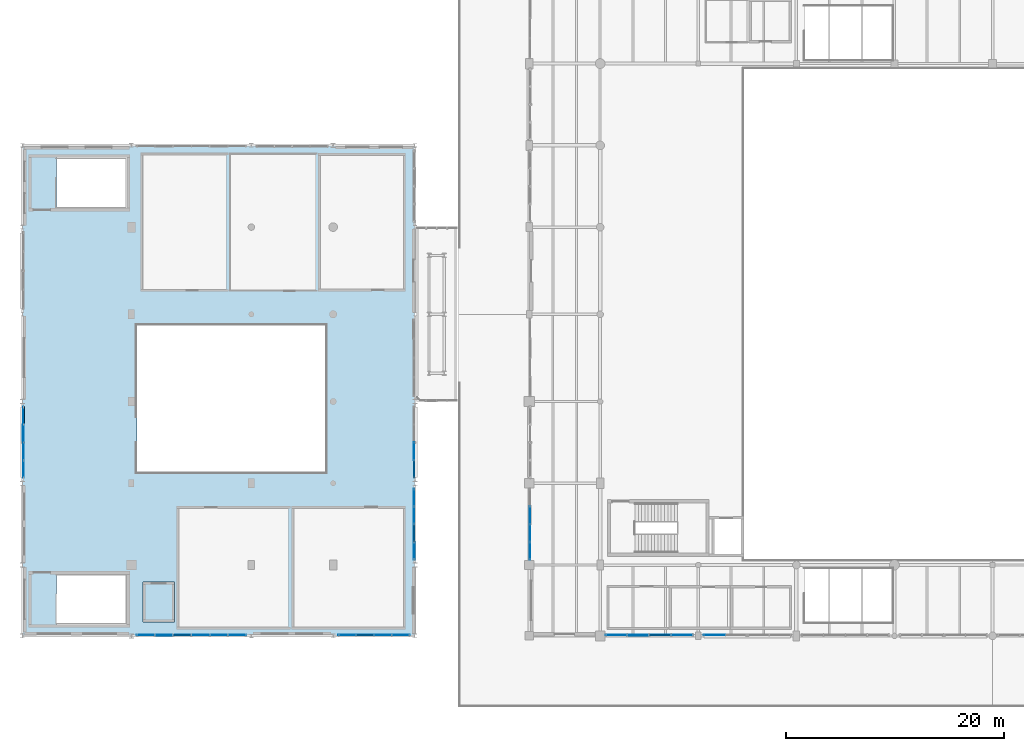
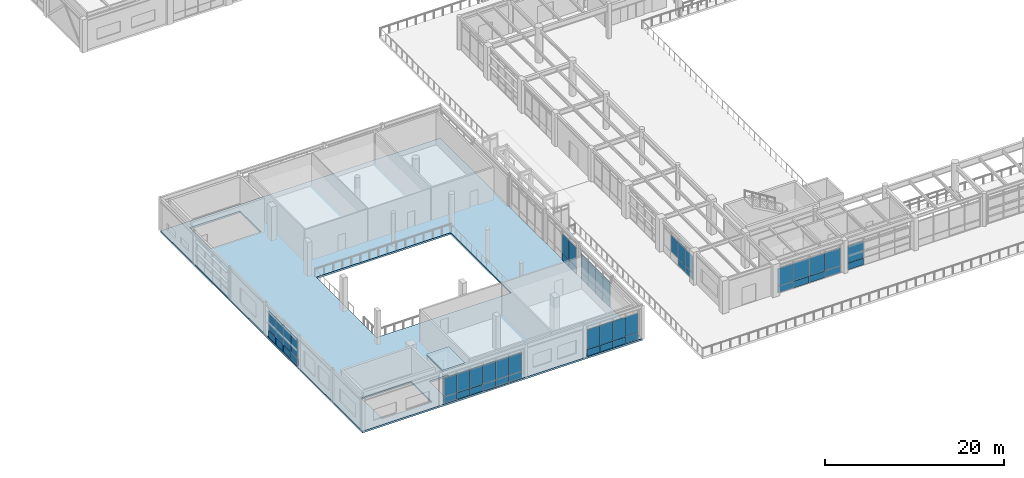
# One storey, part 154 of 200: 55 plates, 2 slabs, 8 elements without a shape of their own.
"""IFC4 building model written with IfcOpenShell, lengths in metres."""

import ifcopenshell
import ifcopenshell.guid

model = None  # the IFC model being written
_history = None  # IfcOwnerHistory: only IFC2X3 demands one
_inside = {}  # id of a spatial element -> (the spatial element, [elements in it])
_under = {}  # id of a project, library or spatial element -> (it, [spatial elements below it])
_declared = {}  # id of a project -> (the project, [libraries it declares])
_typed = {}  # id of a type object -> (the type object, [elements of that type])
_made_of = {}  # id of a material, layer set ... -> (it, [elements and type objects made of it])


def new_model(schema):
    """Start an empty IFC model of exactly this schema.

    Asked for "IFC4X3", IfcOpenShell would pick the latest addendum, in which some entities
    have other attributes; the version numbers below select the first issue.
    IFC2X3 requires an IfcOwnerHistory on every rooted entity: one is made here for all.
    """
    global model, _history
    if schema == "IFC4X3":
        model = ifcopenshell.file(schema_version=(4, 3, 0, 0))
    else:
        model = ifcopenshell.file(schema=schema)
    _inside.clear()
    _under.clear()
    _declared.clear()
    _typed.clear()
    _made_of.clear()
    _history = None
    if model.schema == "IFC2X3":
        org = make("IfcOrganization", Name="unknown")
        user = make(
            "IfcPersonAndOrganization",
            ThePerson=make("IfcPerson", FamilyName="unknown"),
            TheOrganization=org,
        )
        app = make(
            "IfcApplication",
            ApplicationDeveloper=org,
            Version="unknown",
            ApplicationFullName="unknown",
            ApplicationIdentifier="unknown",
        )
        _history = make(
            "IfcOwnerHistory",
            OwningUser=user,
            OwningApplication=app,
            ChangeAction="ADDED",
            CreationDate=0,
        )
    return model


def make(cls, **values):
    """One entity of the class cls with the attributes given. An attribute that is None is left unset."""
    return model.create_entity(
        cls, **{name: value for name, value in values.items() if value is not None}
    )


def rooted(cls, **values):
    """An entity with a GlobalId (a new one), such as an element, a storey or a relation."""
    return make(cls, GlobalId=ifcopenshell.guid.new(), OwnerHistory=_history, **values)


def si_unit(unit_type, name, prefix=None):
    """IfcSIUnit, for example si_unit("LENGTHUNIT", "METRE", prefix="MILLI")."""
    return make("IfcSIUnit", UnitType=unit_type, Prefix=prefix, Name=name)


def assignment(units):
    """IfcUnitAssignment: the units of a project."""
    return None if units is None else make("IfcUnitAssignment", Units=units)


def point(xyz):
    """IfcCartesianPoint."""
    return None if xyz is None else make("IfcCartesianPoint", Coordinates=xyz)


def direction(xyz):
    """IfcDirection."""
    return None if xyz is None else make("IfcDirection", DirectionRatios=xyz)


def frame(location, z_axis=None, x_axis=None):
    """IfcAxis2Placement3D, a coordinate frame: its origin and axes. An axis left out is left unset."""
    return make(
        "IfcAxis2Placement3D",
        Location=point(location),
        Axis=direction(z_axis),
        RefDirection=direction(x_axis),
    )


def frame_2d(location, x_axis=None):
    """IfcAxis2Placement2D, a coordinate frame in the plane: its origin and x axis."""
    return make(
        "IfcAxis2Placement2D", Location=point(location), RefDirection=direction(x_axis)
    )


def origin():
    """The frame at (0, 0, 0) with its axes left unset."""
    return frame((0.0, 0.0, 0.0))


def origin_2d():
    """The frame at (0, 0) in the plane with its x axis left unset."""
    return frame_2d((0.0, 0.0))


def place(relative_to, where):
    """IfcLocalPlacement: puts the frame where relative to a parent placement (None: the world)."""
    return make(
        "IfcLocalPlacement", PlacementRelTo=relative_to, RelativePlacement=where
    )


def context(
    kind, dimensions, precision=None, world=None, true_north=None, identifier=None
):
    """IfcGeometricRepresentationContext, for example the 3D "Model" context."""
    return make(
        "IfcGeometricRepresentationContext",
        ContextIdentifier=identifier,
        ContextType=kind,
        CoordinateSpaceDimension=dimensions,
        Precision=precision,
        WorldCoordinateSystem=world,
        TrueNorth=true_north,
    )


def subcontext(parent, identifier, kind, view, scale=None):
    """IfcGeometricRepresentationSubContext, for example "Body" below "Model"."""
    return make(
        "IfcGeometricRepresentationSubContext",
        ContextIdentifier=identifier,
        ContextType=kind,
        ParentContext=parent,
        TargetScale=scale,
        TargetView=view,
    )


def project(units=None, contexts=None):
    """IfcProject with its units and contexts."""
    return rooted(
        "IfcProject",
        Name="project",
        RepresentationContexts=contexts,
        UnitsInContext=assignment(units),
    )


def spatial(cls, under=None, at=None, **own):
    """A site, building, storey or space (cls), placed at a placement, below another one or the project."""
    s = rooted(cls, ObjectPlacement=at, **own)
    if under is not None:
        _under.setdefault(under.id(), (under, []))[1].append(s)
    return s


def polyline(points):
    """IfcPolyline through the points."""
    return make("IfcPolyline", Points=[point(p) for p in points])


def profile(cls, at=None, kind="AREA", **sizes):
    """A parametric profile (cls). Its sizes go by their IFC names, for example OverallWidth=200.0."""
    return make(cls, ProfileType=kind, Position=at, **sizes)


def rectangle(**sizes):
    """IfcRectangleProfileDef."""
    return profile("IfcRectangleProfileDef", **sizes)


def outline(outer, holes=None, kind="AREA"):
    """IfcArbitraryClosedProfileDef: a profile drawn as a closed curve; with holes, ...WithVoids."""
    if holes is None:
        return make("IfcArbitraryClosedProfileDef", ProfileType=kind, OuterCurve=outer)
    return make(
        "IfcArbitraryProfileDefWithVoids",
        ProfileType=kind,
        OuterCurve=outer,
        InnerCurves=holes,
    )


def extrude(swept, where, along, depth):
    """IfcExtrudedAreaSolid: the profile swept, set in the frame where, extruded along a direction by depth."""
    return make(
        "IfcExtrudedAreaSolid",
        SweptArea=swept,
        Position=where,
        ExtrudedDirection=direction(along),
        Depth=depth,
    )


def shape(context_of_items, identifier, shape_type, items):
    """IfcShapeRepresentation: the items that make up one representation, for example the "Body"."""
    return make(
        "IfcShapeRepresentation",
        ContextOfItems=context_of_items,
        RepresentationIdentifier=identifier,
        RepresentationType=shape_type,
        Items=items,
    )


def material(Name=None, Category=None):
    """IfcMaterial."""
    return make("IfcMaterial", Name=Name, Category=Category)


def layer(
    of_material, thickness, ventilated=None, Name=None, Category=None, Priority=None
):
    """IfcMaterialLayer: one layer of a wall or slab, of a material (None: an air gap)."""
    return make(
        "IfcMaterialLayer",
        Material=of_material,
        LayerThickness=thickness,
        IsVentilated=ventilated,
        Name=Name,
        Category=Category,
        Priority=Priority,
    )


def layer_set(layers, Name=None):
    """IfcMaterialLayerSet."""
    return make("IfcMaterialLayerSet", MaterialLayers=layers, LayerSetName=Name)


def made_of(thing, what):
    """Note that an element or type object is made of a material, layer set ...; save() writes the relation."""
    if what is not None:
        _made_of.setdefault(what.id(), (what, []))[1].append(thing)
    return thing


def type_object(cls, material=None, **own):
    """A type object (cls), such as IfcWallType, which elements share."""
    return made_of(rooted(cls, **own), material)


def element(
    cls,
    number,
    at=None,
    inside=None,
    cuts=None,
    type_object=None,
    material=None,
    context=None,
    identifier="Body",
    shape_type=None,
    held_by="IfcProductDefinitionShape",
    body=None,
    shapes=None,
    **own,
):
    """One element of the class cls, such as IfcWall. Its Tag is "e" and its number.

    at: its placement. inside: the storey or other place that contains it. cuts: it is an
    opening in that element (IfcRelVoidsElement). A single representation is given by context,
    identifier, shape_type and body (its items); several are given by shapes. held_by: the class
    of the entity that holds the representations. save() writes the other relations.
    """
    e = rooted(cls, Tag="e%d" % number, ObjectPlacement=at, **own)
    if body is not None:
        shapes = [shape(context, identifier, shape_type, body)]
    if shapes is not None:
        e.Representation = make(held_by, Representations=shapes)
    if inside is not None:
        _inside.setdefault(inside.id(), (inside, []))[1].append(e)
    if cuts is not None:
        rooted(
            "IfcRelVoidsElement", RelatingBuildingElement=cuts, RelatedOpeningElement=e
        )
    if type_object is not None:
        _typed.setdefault(type_object.id(), (type_object, []))[1].append(e)
    return made_of(e, material)


def aggregate(whole, parts):
    """IfcRelAggregates: a whole, such as a stair, and the parts it consists of."""
    return rooted("IfcRelAggregates", RelatingObject=whole, RelatedObjects=parts)


def save(model, path):
    """Write the relations noted so far, then the file.

    IfcRelAggregates (storeys below a building ...), IfcRelContainedInSpatialStructure (elements
    in a storey), IfcRelDefinesByType, IfcRelAssociatesMaterial and IfcRelDeclares: one each for
    every whole, place, type object, material and project.
    """
    for whole, parts in _under.values():
        aggregate(whole, parts)
    for where, things in _inside.values():
        rooted(
            "IfcRelContainedInSpatialStructure",
            RelatedElements=things,
            RelatingStructure=where,
        )
    for kind, things in _typed.values():
        rooted("IfcRelDefinesByType", RelatedObjects=things, RelatingType=kind)
    for what, things in _made_of.values():
        rooted("IfcRelAssociatesMaterial", RelatedObjects=things, RelatingMaterial=what)
    for by, libraries in _declared.values():
        rooted("IfcRelDeclares", RelatingContext=by, RelatedDefinitions=libraries)
    model.write(path)


model = new_model("IFC4")

# Units and contexts
model_context = context("Model", 3, precision=1e-05, world=origin(), true_north=direction((0.0, 1.0)))
body_context = subcontext(model_context, "Body", "Model", "MODEL_VIEW")
ifc_project = project(units=[si_unit("LENGTHUNIT", "METRE"), si_unit("AREAUNIT", "SQUARE_METRE"), si_unit("VOLUMEUNIT", "CUBIC_METRE"), si_unit("PLANEANGLEUNIT", "RADIAN"), si_unit("MASSUNIT", "GRAM", prefix="KILO"), si_unit("THERMODYNAMICTEMPERATUREUNIT", "KELVIN"), si_unit("POWERUNIT", "WATT")], contexts=[model_context])

# Site, building, storey
site_placement = place(None, origin())
site = spatial("IfcSite", under=ifc_project, at=site_placement, CompositionType="ELEMENT")
building_placement = place(site_placement, origin())
building = spatial("IfcBuilding", under=site, at=building_placement, Name="Tepalcoro Natatorium and Aquatics Centre", CompositionType="ELEMENT")
storey_placement = place(building_placement, frame((0.0, 0.0, 5.39990234375)))
storey = spatial("IfcBuildingStorey", under=building, at=storey_placement, Name="L01", CompositionType="ELEMENT", Elevation=5.39990234375)

# Curtain wall, plates
ifc_material_1 = material(Name="Bronze-Anodised Extruded Aluminium Alloy EN AW-6063 T6", Category="aluminium")
curtain_wall_type_1 = type_object("IfcCurtainWallType", Name="CW_V3_FOYER", PredefinedType="USERDEFINED", material=ifc_material_1)
curtain_wall_1_placement = place(storey_placement, origin())
curtain_wall_1 = element("IfcCurtainWall", 1, at=curtain_wall_1_placement, inside=storey, type_object=curtain_wall_type_1, Name="V1 L01 S Unitised Curtain Wall Bay 2", ObjectType="UNITISED STOREFRONT", PredefinedType="USERDEFINED")
ifc_material_2 = material(Name="Solar-Control Bronze Tempered Low-E Double Glazing", Category="glass")
ifc_layer_1 = layer(ifc_material_2, 0.048095703125)
ifc_layer_set_1 = layer_set([ifc_layer_1], Name="Solar-Control Bronze Tempered Low-E Double Glazing")
plate_type_1 = type_object("IfcPlateType", Name="PL_ACOUSTIC_IGU_48", PredefinedType="CURTAIN_PANEL", material=ifc_layer_set_1)
plate_1_placement = place(storey_placement, frame((54.485107421875, 6.5712890625, 0.9599609375), z_axis=(0.0, 0.0, 1.0), x_axis=(1.0, 0.0, 0.0)))
plate_1 = element("IfcPlate", 2, at=plate_1_placement, type_object=plate_type_1, Name="CW_V3_FOYER Insulated Glazing Unit", PredefinedType="CURTAIN_PANEL", context=body_context, shape_type="SweptSolid", body=[
    extrude(rectangle(XDim=1.989990234375, YDim=0.048095703125, at=origin_2d()), origin(), (0.0, 0.0, 1.0), 2.39404296875),
])
plate_2_placement = place(storey_placement, frame((60.514892578125, 6.5712890625, 0.9599609375), z_axis=(0.0, 0.0, 1.0), x_axis=(1.0, 0.0, 0.0)))
plate_2 = element("IfcPlate", 3, at=plate_2_placement, type_object=plate_type_1, Name="CW_V3_FOYER Insulated Glazing Unit", PredefinedType="CURTAIN_PANEL", context=body_context, shape_type="SweptSolid", body=[
    extrude(rectangle(XDim=1.989990234375, YDim=0.048095703125, at=origin_2d()), origin(), (0.0, 0.0, 1.0), 2.39404296875),
])

# Curtain wall, plate
curtain_wall_type_2 = type_object("IfcCurtainWallType", Name="CW_LEAN_T1_NS", PredefinedType="USERDEFINED", material=ifc_material_1)
curtain_wall_2_placement = place(storey_placement, origin())
curtain_wall_2 = element("IfcCurtainWall", 4, at=curtain_wall_2_placement, inside=storey, type_object=curtain_wall_type_2, Name="V1 L01 W Unitised Curtain Wall Bay 2", ObjectType="FACETED SOLAR GLAZING", PredefinedType="USERDEFINED")
plate_3_placement = place(storey_placement, frame((46.56494140625, 15.9326171875, 0.9599609375), z_axis=(0.0, 0.0, 1.0), x_axis=(1.0, 0.0, 0.0)))
plate_3 = element("IfcPlate", 5, at=plate_3_placement, type_object=plate_type_1, Name="CW_LEAN_T1_NS Insulated Glazing Unit", PredefinedType="CURTAIN_PANEL", context=body_context, shape_type="SweptSolid", body=[
    extrude(rectangle(XDim=0.048095703125, YDim=1.614990234375, at=origin_2d()), origin(), (0.0, 0.0, 1.0), 2.318115234375),
])

# Curtain wall, plates
curtain_wall_3_placement = place(storey_placement, origin())
curtain_wall_3 = element("IfcCurtainWall", 6, at=curtain_wall_3_placement, inside=storey, type_object=curtain_wall_type_1, Name="V3 L01 S Unitised Curtain Wall Bay 2", ObjectType="UNITISED STOREFRONT", PredefinedType="USERDEFINED")
plate_4_placement = place(storey_placement, frame((11.316650390625, 6.5712890625, 0.9599609375), z_axis=(0.0, 0.0, 1.0), x_axis=(1.0, 0.0, 0.0)))
plate_4 = element("IfcPlate", 7, at=plate_4_placement, type_object=plate_type_1, Name="CW_V3_FOYER Insulated Glazing Unit", PredefinedType="CURTAIN_PANEL", context=body_context, shape_type="SweptSolid", body=[
    extrude(rectangle(XDim=1.6533203125, YDim=0.048095703125, at=origin_2d()), origin(), (0.0, 0.0, 1.0), 2.513916015625),
])
plate_5_placement = place(storey_placement, frame((16.336669921875, 6.5712890625, 0.9599609375), z_axis=(0.0, 0.0, 1.0), x_axis=(1.0, 0.0, 0.0)))
plate_5 = element("IfcPlate", 8, at=plate_5_placement, type_object=plate_type_1, Name="CW_V3_FOYER Insulated Glazing Unit", PredefinedType="CURTAIN_PANEL", context=body_context, shape_type="SweptSolid", body=[
    extrude(rectangle(XDim=1.6533203125, YDim=0.048095703125, at=origin_2d()), origin(), (0.0, 0.0, 1.0), 2.513916015625),
])

# Curtain wall, plate
curtain_wall_type_3 = type_object("IfcCurtainWallType", Name="CW_V5_LOWER", PredefinedType="USERDEFINED", material=ifc_material_1)
curtain_wall_4_placement = place(storey_placement, origin())
curtain_wall_4 = element("IfcCurtainWall", 9, at=curtain_wall_4_placement, inside=storey, type_object=curtain_wall_type_3, Name="V3 L01 S Unitised Curtain Wall Bay 4", ObjectType="UNITISED STOREFRONT", PredefinedType="USERDEFINED")
plate_6_placement = place(storey_placement, frame((33.0673828125, 6.580078125, 0.9599609375), z_axis=(0.0, 0.0, 1.0), x_axis=(1.0, 0.0, 0.0)))
plate_6 = element("IfcPlate", 10, at=plate_6_placement, type_object=plate_type_1, Name="CW_V5_LOWER Insulated Glazing Unit", PredefinedType="CURTAIN_PANEL", context=body_context, shape_type="SweptSolid", body=[
    extrude(rectangle(XDim=1.614990234375, YDim=0.048095703125, at=origin_2d()), origin(), (0.0, 0.0, 1.0), 2.636962890625),
])

curtain_wall_type_4 = type_object("IfcCurtainWallType", Name="CW_LEAN_T1_EW", PredefinedType="USERDEFINED", material=ifc_material_1)
curtain_wall_5_placement = place(storey_placement, origin())
curtain_wall_5 = element("IfcCurtainWall", 11, at=curtain_wall_5_placement, inside=storey, type_object=curtain_wall_type_4, Name="V3 L01 W Unitised Curtain Wall Bay 3", ObjectType="FACETED SOLAR GLAZING", PredefinedType="USERDEFINED")
plate_7_placement = place(storey_placement, frame((0.090087890625, 25.0673828125, 0.9599609375), z_axis=(0.0, 0.0, 1.0), x_axis=(1.0, 0.0, 0.0)))
plate_7 = element("IfcPlate", 12, at=plate_7_placement, type_object=plate_type_1, Name="CW_LEAN_T1_EW Insulated Glazing Unit", PredefinedType="CURTAIN_PANEL", context=body_context, shape_type="SweptSolid", body=[
    extrude(rectangle(XDim=0.048095703125, YDim=1.614990234375, at=origin_2d()), origin(), (0.0, 0.0, 1.0), 2.636962890625),
])

# Curtain wall, plates
curtain_wall_type_5 = type_object("IfcCurtainWallType", Name="CW_LEAN_T2_NS", PredefinedType="USERDEFINED", material=ifc_material_1)
curtain_wall_6_placement = place(storey_placement, origin())
curtain_wall_6 = element("IfcCurtainWall", 13, at=curtain_wall_6_placement, inside=storey, type_object=curtain_wall_type_5, Name="V3 L01 E Unitised Curtain Wall Bay 2", ObjectType="FACETED SOLAR GLAZING", PredefinedType="USERDEFINED")
plate_8_placement = place(storey_placement, frame((35.923828125, 14.297607421875, 0.960205078125), z_axis=(0.0, 0.0, 1.0), x_axis=(1.0, 0.0, 0.0)))
plate_8 = element("IfcPlate", 14, at=plate_8_placement, type_object=plate_type_1, Name="CW_LEAN_T2_NS Insulated Glazing Unit", PredefinedType="CURTAIN_PANEL", context=body_context, shape_type="SweptSolid", body=[
    extrude(rectangle(XDim=0.048095703125, YDim=1.614990234375, at=origin_2d()), origin(), (0.0, 0.0, 1.0), 2.43798828125),
])
plate_9_placement = place(storey_placement, frame((35.923828125, 19.202392578125, 0.960205078125), z_axis=(0.0, 0.0, 1.0), x_axis=(1.0, 0.0, 0.0)))
plate_9 = element("IfcPlate", 15, at=plate_9_placement, type_object=plate_type_1, Name="CW_LEAN_T2_NS Insulated Glazing Unit", PredefinedType="CURTAIN_PANEL", context=body_context, shape_type="SweptSolid", body=[
    extrude(rectangle(XDim=0.048095703125, YDim=1.614990234375, at=origin_2d()), origin(), (0.0, 0.0, 1.0), 2.43798828125),
])

# Plate
ifc_layer_2 = layer(ifc_material_2, 0.028076171875)
ifc_layer_set_2 = layer_set([ifc_layer_2], Name="Solar-Control Bronze Tempered Low-E Double Glazing")
plate_type_2 = type_object("IfcPlateType", Name="PL_BRONZE_IGU_28", PredefinedType="CURTAIN_PANEL", material=ifc_layer_set_2)
plate_10_placement = place(storey_placement, frame((58.5048828125, 6.5712890625, 0.9599609375), z_axis=(0.0, 0.0, 1.0), x_axis=(1.0, 0.0, 0.0)))
plate_10 = element("IfcPlate", 16, at=plate_10_placement, type_object=plate_type_2, Name="CW_V3_FOYER Insulated Glazing Unit", PredefinedType="CURTAIN_PANEL", context=body_context, shape_type="SweptSolid", body=[
    extrude(rectangle(XDim=1.989990234375, YDim=0.028076171875, at=origin_2d()), origin(), (0.0, 0.0, 1.0), 2.39404296875),
])

plate_11_placement = place(storey_placement, frame((46.56494140625, 14.297607421875, 0.9599609375), z_axis=(0.0, 0.0, 1.0), x_axis=(1.0, 0.0, 0.0)))
plate_11 = element("IfcPlate", 17, at=plate_11_placement, type_object=plate_type_2, Name="CW_LEAN_T1_NS Insulated Glazing Unit", PredefinedType="CURTAIN_PANEL", context=body_context, shape_type="SweptSolid", body=[
    extrude(rectangle(XDim=0.028076171875, YDim=1.614990234375, at=origin_2d()), origin(), (0.0, 0.0, 1.0), 2.318115234375),
])

plate_12_placement = place(storey_placement, frame((14.663330078125, 6.5712890625, 0.9599609375), z_axis=(0.0, 0.0, 1.0), x_axis=(1.0, 0.0, 0.0)))
plate_12 = element("IfcPlate", 18, at=plate_12_placement, type_object=plate_type_2, Name="CW_V3_FOYER Insulated Glazing Unit", PredefinedType="CURTAIN_PANEL", context=body_context, shape_type="SweptSolid", body=[
    extrude(rectangle(XDim=1.6533203125, YDim=0.028076171875, at=origin_2d()), origin(), (0.0, 0.0, 1.0), 2.513916015625),
])

plate_13_placement = place(storey_placement, frame((19.683349609375, 6.5712890625, 0.9599609375), z_axis=(0.0, 0.0, 1.0), x_axis=(1.0, 0.0, 0.0)))
plate_13 = element("IfcPlate", 19, at=plate_13_placement, type_object=plate_type_2, Name="CW_V3_FOYER Insulated Glazing Unit", PredefinedType="CURTAIN_PANEL", context=body_context, shape_type="SweptSolid", body=[
    extrude(rectangle(XDim=1.6533203125, YDim=0.028076171875, at=origin_2d()), origin(), (0.0, 0.0, 1.0), 2.513916015625),
])

plate_14_placement = place(storey_placement, frame((31.4326171875, 6.580078125, 0.9599609375), z_axis=(0.0, 0.0, 1.0), x_axis=(1.0, 0.0, 0.0)))
plate_14 = element("IfcPlate", 20, at=plate_14_placement, type_object=plate_type_2, Name="CW_V5_LOWER Insulated Glazing Unit", PredefinedType="CURTAIN_PANEL", context=body_context, shape_type="SweptSolid", body=[
    extrude(rectangle(XDim=1.614990234375, YDim=0.028076171875, at=origin_2d()), origin(), (0.0, 0.0, 1.0), 2.636962890625),
])

plate_15_placement = place(storey_placement, frame((0.090087890625, 23.4326171875, 0.9599609375), z_axis=(0.0, 0.0, 1.0), x_axis=(1.0, 0.0, 0.0)))
plate_15 = element("IfcPlate", 21, at=plate_15_placement, type_object=plate_type_2, Name="CW_LEAN_T1_EW Insulated Glazing Unit", PredefinedType="CURTAIN_PANEL", context=body_context, shape_type="SweptSolid", body=[
    extrude(rectangle(XDim=0.028076171875, YDim=1.614990234375, at=origin_2d()), origin(), (0.0, 0.0, 1.0), 2.636962890625),
])

plate_16_placement = place(storey_placement, frame((35.923828125, 17.5673828125, 0.960205078125), z_axis=(0.0, 0.0, 1.0), x_axis=(1.0, 0.0, 0.0)))
plate_16 = element("IfcPlate", 22, at=plate_16_placement, type_object=plate_type_2, Name="CW_LEAN_T2_NS Insulated Glazing Unit", PredefinedType="CURTAIN_PANEL", context=body_context, shape_type="SweptSolid", body=[
    extrude(rectangle(XDim=0.028076171875, YDim=1.614990234375, at=origin_2d()), origin(), (0.0, 0.0, 1.0), 2.43798828125),
])

# Curtain wall, plate
curtain_wall_type_6 = type_object("IfcCurtainWallType", Name="CW_LEAN_T2_EW", PredefinedType="USERDEFINED", material=ifc_material_1)
curtain_wall_7_placement = place(storey_placement, origin())
curtain_wall_7 = element("IfcCurtainWall", 23, at=curtain_wall_7_placement, inside=storey, type_object=curtain_wall_type_6, Name="V3 L01 E Unitised Curtain Wall Bay 3", ObjectType="FACETED SOLAR GLAZING", PredefinedType="USERDEFINED")
plate_17_placement = place(storey_placement, frame((35.9287109375, 23.4326171875, 0.9599609375), z_axis=(0.0, 0.0, 1.0), x_axis=(1.0, 0.0, 0.0)))
plate_17 = element("IfcPlate", 24, at=plate_17_placement, type_object=plate_type_2, Name="CW_LEAN_T2_EW Insulated Glazing Unit", PredefinedType="CURTAIN_PANEL", context=body_context, shape_type="SweptSolid", body=[
    extrude(rectangle(XDim=0.028076171875, YDim=1.614990234375, at=origin_2d()), origin(), (0.0, 0.0, 1.0), 2.636962890625),
])

# Plate
ifc_material_3 = material(Name="Jalisco Cantera Rosa Volcanic Tuff Ashlar Masonry", Category="masonry")
ifc_layer_3 = layer(ifc_material_3, 0.090087890625)
ifc_layer_set_3 = layer_set([ifc_layer_3], Name="Jalisco Cantera Rosa Volcanic Tuff Ashlar Masonry")
plate_type_3 = type_object("IfcPlateType", Name="PL_CANTERA_90", PredefinedType="SHEET", material=ifc_layer_set_3)
plate_18_placement = place(storey_placement, frame((56.4951171875, 6.5712890625, 0.044921875), z_axis=(0.0, 0.0, 1.0), x_axis=(1.0, 0.0, 0.0)))
plate_18 = element("IfcPlate", 25, at=plate_18_placement, type_object=plate_type_3, Name="CW_V3_FOYER Spandrel & Screen Panel", PredefinedType="SHEET", context=body_context, shape_type="SweptSolid", body=[
    extrude(rectangle(XDim=1.989990234375, YDim=0.090087890625, at=origin_2d()), origin(), (0.0, 0.0, 1.0), 0.909912109375),
])

# Curtain wall, plate
curtain_wall_type_7 = type_object("IfcCurtainWallType", Name="CW_V4_VILLAGE", PredefinedType="USERDEFINED", material=ifc_material_1)
curtain_wall_8_placement = place(storey_placement, origin())
curtain_wall_8 = element("IfcCurtainWall", 26, at=curtain_wall_8_placement, inside=storey, type_object=curtain_wall_type_7, Name="V1 L01 S Unitised Curtain Wall Bay 3", ObjectType="UNITISED STOREFRONT", PredefinedType="USERDEFINED")
plate_19_placement = place(storey_placement, frame((63.485107421875, 6.580078125, 0.044921875), z_axis=(0.0, 0.0, 1.0), x_axis=(1.0, 0.0, 0.0)))
plate_19 = element("IfcPlate", 27, at=plate_19_placement, type_object=plate_type_3, Name="CW_V4_VILLAGE Spandrel & Screen Panel", PredefinedType="SHEET", context=body_context, shape_type="SweptSolid", body=[
    extrude(rectangle(XDim=1.989990234375, YDim=0.090087890625, at=origin_2d()), origin(), (0.0, 0.0, 1.0), 0.909912109375),
])

# Plate
plate_20_placement = place(storey_placement, frame((12.989990234375, 6.5712890625, 0.044921875), z_axis=(0.0, 0.0, 1.0), x_axis=(1.0, 0.0, 0.0)))
plate_20 = element("IfcPlate", 28, at=plate_20_placement, type_object=plate_type_3, Name="CW_V3_FOYER Spandrel & Screen Panel", PredefinedType="SHEET", context=body_context, shape_type="SweptSolid", body=[
    extrude(rectangle(XDim=1.6533203125, YDim=0.090087890625, at=origin_2d()), origin(), (0.0, 0.0, 1.0), 0.909912109375),
])

plate_21_placement = place(storey_placement, frame((29.797607421875, 6.580078125, 0.044921875), z_axis=(0.0, 0.0, 1.0), x_axis=(1.0, 0.0, 0.0)))
plate_21 = element("IfcPlate", 29, at=plate_21_placement, type_object=plate_type_3, Name="CW_V5_LOWER Spandrel & Screen Panel", PredefinedType="SHEET", context=body_context, shape_type="SweptSolid", body=[
    extrude(rectangle(XDim=1.614990234375, YDim=0.090087890625, at=origin_2d()), origin(), (0.0, 0.0, 1.0), 0.909912109375),
])

plate_22_placement = place(storey_placement, frame((0.090087890625, 25.0673828125, 0.044921875), z_axis=(0.0, 0.0, 1.0), x_axis=(1.0, 0.0, 0.0)))
plate_22 = element("IfcPlate", 30, at=plate_22_placement, type_object=plate_type_3, Name="CW_LEAN_T1_EW Spandrel & Screen Panel", PredefinedType="SHEET", context=body_context, shape_type="SweptSolid", body=[
    extrude(rectangle(XDim=0.090087890625, YDim=1.614990234375, at=origin_2d()), origin(), (0.0, 0.0, 1.0), 0.909912109375),
])

plate_23_placement = place(storey_placement, frame((35.923828125, 14.297607421875, 0.044921875), z_axis=(0.0, 0.0, 1.0), x_axis=(1.0, 0.0, 0.0)))
plate_23 = element("IfcPlate", 31, at=plate_23_placement, type_object=plate_type_3, Name="CW_LEAN_T2_NS Spandrel & Screen Panel", PredefinedType="SHEET", context=body_context, shape_type="SweptSolid", body=[
    extrude(rectangle(XDim=0.090087890625, YDim=1.614990234375, at=origin_2d()), origin(), (0.0, 0.0, 1.0), 0.909912109375),
])

ifc_material_4 = material(Name="Clear Tempered Low-E Safety Glazing", Category="glass")
ifc_layer_4 = layer(ifc_material_4, 0.011962890625)
ifc_layer_set_4 = layer_set([ifc_layer_4], Name="Clear Tempered Low-E Safety Glazing")
plate_type_4 = type_object("IfcPlateType", Name="PL_GLASS_12", PredefinedType="CURTAIN_PANEL", material=ifc_layer_set_4)
plate_24_placement = place(storey_placement, frame((56.4951171875, 6.5712890625, 0.9599609375), z_axis=(0.0, 0.0, 1.0), x_axis=(1.0, 0.0, 0.0)))
plate_24 = element("IfcPlate", 32, at=plate_24_placement, type_object=plate_type_4, Name="CW_V3_FOYER Insulated Glazing Unit", PredefinedType="CURTAIN_PANEL", context=body_context, shape_type="SweptSolid", body=[
    extrude(rectangle(XDim=1.989990234375, YDim=0.011962890625, at=origin_2d()), origin(), (0.0, 0.0, 1.0), 2.39404296875),
])

plate_25_placement = place(storey_placement, frame((63.485107421875, 6.580078125, 0.9599609375), z_axis=(0.0, 0.0, 1.0), x_axis=(1.0, 0.0, 0.0)))
plate_25 = element("IfcPlate", 33, at=plate_25_placement, type_object=plate_type_4, Name="CW_V4_VILLAGE Insulated Glazing Unit", PredefinedType="CURTAIN_PANEL", context=body_context, shape_type="SweptSolid", body=[
    extrude(rectangle(XDim=1.989990234375, YDim=0.011962890625, at=origin_2d()), origin(), (0.0, 0.0, 1.0), 2.318115234375),
])

aggregate(curtain_wall_8, [plate_25, plate_19])

plate_26_placement = place(storey_placement, frame((46.56494140625, 17.5673828125, 0.9599609375), z_axis=(0.0, 0.0, 1.0), x_axis=(1.0, 0.0, 0.0)))
plate_26 = element("IfcPlate", 34, at=plate_26_placement, type_object=plate_type_4, Name="CW_LEAN_T1_NS Insulated Glazing Unit", PredefinedType="CURTAIN_PANEL", context=body_context, shape_type="SweptSolid", body=[
    extrude(rectangle(XDim=0.011962890625, YDim=1.614990234375, at=origin_2d()), origin(), (0.0, 0.0, 1.0), 2.318115234375),
])

plate_27_placement = place(storey_placement, frame((12.989990234375, 6.5712890625, 0.9599609375), z_axis=(0.0, 0.0, 1.0), x_axis=(1.0, 0.0, 0.0)))
plate_27 = element("IfcPlate", 35, at=plate_27_placement, type_object=plate_type_4, Name="CW_V3_FOYER Insulated Glazing Unit", PredefinedType="CURTAIN_PANEL", context=body_context, shape_type="SweptSolid", body=[
    extrude(rectangle(XDim=1.6533203125, YDim=0.011962890625, at=origin_2d()), origin(), (0.0, 0.0, 1.0), 2.513916015625),
])

plate_28_placement = place(storey_placement, frame((18.010009765625, 6.5712890625, 0.9599609375), z_axis=(0.0, 0.0, 1.0), x_axis=(1.0, 0.0, 0.0)))
plate_28 = element("IfcPlate", 36, at=plate_28_placement, type_object=plate_type_4, Name="CW_V3_FOYER Insulated Glazing Unit", PredefinedType="CURTAIN_PANEL", context=body_context, shape_type="SweptSolid", body=[
    extrude(rectangle(XDim=1.6533203125, YDim=0.011962890625, at=origin_2d()), origin(), (0.0, 0.0, 1.0), 2.513916015625),
])

plate_29_placement = place(storey_placement, frame((29.797607421875, 6.580078125, 0.9599609375), z_axis=(0.0, 0.0, 1.0), x_axis=(1.0, 0.0, 0.0)))
plate_29 = element("IfcPlate", 37, at=plate_29_placement, type_object=plate_type_4, Name="CW_V5_LOWER Insulated Glazing Unit", PredefinedType="CURTAIN_PANEL", context=body_context, shape_type="SweptSolid", body=[
    extrude(rectangle(XDim=1.614990234375, YDim=0.011962890625, at=origin_2d()), origin(), (0.0, 0.0, 1.0), 2.636962890625),
])

plate_30_placement = place(storey_placement, frame((34.702392578125, 6.580078125, 0.9599609375), z_axis=(0.0, 0.0, 1.0), x_axis=(1.0, 0.0, 0.0)))
plate_30 = element("IfcPlate", 38, at=plate_30_placement, type_object=plate_type_4, Name="CW_V5_LOWER Insulated Glazing Unit", PredefinedType="CURTAIN_PANEL", context=body_context, shape_type="SweptSolid", body=[
    extrude(rectangle(XDim=1.614990234375, YDim=0.011962890625, at=origin_2d()), origin(), (0.0, 0.0, 1.0), 2.636962890625),
])

plate_31_placement = place(storey_placement, frame((0.090087890625, 21.797607421875, 0.9599609375), z_axis=(0.0, 0.0, 1.0), x_axis=(1.0, 0.0, 0.0)))
plate_31 = element("IfcPlate", 39, at=plate_31_placement, type_object=plate_type_4, Name="CW_LEAN_T1_EW Insulated Glazing Unit", PredefinedType="CURTAIN_PANEL", context=body_context, shape_type="SweptSolid", body=[
    extrude(rectangle(XDim=0.011962890625, YDim=1.614990234375, at=origin_2d()), origin(), (0.0, 0.0, 1.0), 2.636962890625),
])

plate_32_placement = place(storey_placement, frame((0.090087890625, 26.702392578125, 0.9599609375), z_axis=(0.0, 0.0, 1.0), x_axis=(1.0, 0.0, 0.0)))
plate_32 = element("IfcPlate", 40, at=plate_32_placement, type_object=plate_type_4, Name="CW_LEAN_T1_EW Insulated Glazing Unit", PredefinedType="CURTAIN_PANEL", context=body_context, shape_type="SweptSolid", body=[
    extrude(rectangle(XDim=0.011962890625, YDim=1.614990234375, at=origin_2d()), origin(), (0.0, 0.0, 1.0), 2.636962890625),
])

plate_33_placement = place(storey_placement, frame((35.923828125, 15.9326171875, 0.960205078125), z_axis=(0.0, 0.0, 1.0), x_axis=(1.0, 0.0, 0.0)))
plate_33 = element("IfcPlate", 41, at=plate_33_placement, type_object=plate_type_4, Name="CW_LEAN_T2_NS Insulated Glazing Unit", PredefinedType="CURTAIN_PANEL", context=body_context, shape_type="SweptSolid", body=[
    extrude(rectangle(XDim=0.011962890625, YDim=1.614990234375, at=origin_2d()), origin(), (0.0, 0.0, 1.0), 2.43798828125),
])

plate_34_placement = place(storey_placement, frame((35.9287109375, 21.797607421875, 0.9599609375), z_axis=(0.0, 0.0, 1.0), x_axis=(1.0, 0.0, 0.0)))
plate_34 = element("IfcPlate", 42, at=plate_34_placement, type_object=plate_type_4, Name="CW_LEAN_T2_EW Insulated Glazing Unit", PredefinedType="CURTAIN_PANEL", context=body_context, shape_type="SweptSolid", body=[
    extrude(rectangle(XDim=0.011962890625, YDim=1.614990234375, at=origin_2d()), origin(), (0.0, 0.0, 1.0), 2.636962890625),
])

ifc_material_5 = material(Name="Volcanic Recinto Basalt Ashlar Masonry", Category="masonry")
ifc_layer_5 = layer(ifc_material_5, 0.110107421875)
ifc_layer_set_5 = layer_set([ifc_layer_5], Name="Volcanic Recinto Basalt Ashlar Masonry")
plate_type_5 = type_object("IfcPlateType", Name="PL_RECINTO_110", PredefinedType="SHEET", material=ifc_layer_set_5)
plate_35_placement = place(storey_placement, frame((58.5048828125, 6.5712890625, 0.044921875), z_axis=(0.0, 0.0, 1.0), x_axis=(1.0, 0.0, 0.0)))
plate_35 = element("IfcPlate", 43, at=plate_35_placement, type_object=plate_type_5, Name="CW_V3_FOYER Spandrel & Screen Panel", PredefinedType="SHEET", context=body_context, shape_type="SweptSolid", body=[
    extrude(rectangle(XDim=1.989990234375, YDim=0.110107421875, at=origin_2d()), origin(), (0.0, 0.0, 1.0), 0.909912109375),
])

plate_36_placement = place(storey_placement, frame((14.663330078125, 6.5712890625, 0.044921875), z_axis=(0.0, 0.0, 1.0), x_axis=(1.0, 0.0, 0.0)))
plate_36 = element("IfcPlate", 44, at=plate_36_placement, type_object=plate_type_5, Name="CW_V3_FOYER Spandrel & Screen Panel", PredefinedType="SHEET", context=body_context, shape_type="SweptSolid", body=[
    extrude(rectangle(XDim=1.6533203125, YDim=0.110107421875, at=origin_2d()), origin(), (0.0, 0.0, 1.0), 0.909912109375),
])

plate_37_placement = place(storey_placement, frame((31.4326171875, 6.580078125, 0.044921875), z_axis=(0.0, 0.0, 1.0), x_axis=(1.0, 0.0, 0.0)))
plate_37 = element("IfcPlate", 45, at=plate_37_placement, type_object=plate_type_5, Name="CW_V5_LOWER Spandrel & Screen Panel", PredefinedType="SHEET", context=body_context, shape_type="SweptSolid", body=[
    extrude(rectangle(XDim=1.614990234375, YDim=0.110107421875, at=origin_2d()), origin(), (0.0, 0.0, 1.0), 0.909912109375),
])

plate_38_placement = place(storey_placement, frame((0.090087890625, 26.702392578125, 0.044921875), z_axis=(0.0, 0.0, 1.0), x_axis=(1.0, 0.0, 0.0)))
plate_38 = element("IfcPlate", 46, at=plate_38_placement, type_object=plate_type_5, Name="CW_LEAN_T1_EW Spandrel & Screen Panel", PredefinedType="SHEET", context=body_context, shape_type="SweptSolid", body=[
    extrude(rectangle(XDim=0.110107421875, YDim=1.614990234375, at=origin_2d()), origin(), (0.0, 0.0, 1.0), 0.909912109375),
])

plate_39_placement = place(storey_placement, frame((35.923828125, 15.9326171875, 0.044921875), z_axis=(0.0, 0.0, 1.0), x_axis=(1.0, 0.0, 0.0)))
plate_39 = element("IfcPlate", 47, at=plate_39_placement, type_object=plate_type_5, Name="CW_LEAN_T2_NS Spandrel & Screen Panel", PredefinedType="SHEET", context=body_context, shape_type="SweptSolid", body=[
    extrude(rectangle(XDim=0.110107421875, YDim=1.614990234375, at=origin_2d()), origin(), (0.0, 0.0, 1.0), 0.909912109375),
])

plate_40_placement = place(storey_placement, frame((35.9287109375, 21.797607421875, 0.044921875), z_axis=(0.0, 0.0, 1.0), x_axis=(1.0, 0.0, 0.0)))
plate_40 = element("IfcPlate", 48, at=plate_40_placement, type_object=plate_type_5, Name="CW_LEAN_T2_EW Spandrel & Screen Panel", PredefinedType="SHEET", context=body_context, shape_type="SweptSolid", body=[
    extrude(rectangle(XDim=0.110107421875, YDim=1.614990234375, at=origin_2d()), origin(), (0.0, 0.0, 1.0), 0.909912109375),
])

ifc_layer_6 = layer(ifc_material_1, 0.050048828125)
ifc_layer_set_6 = layer_set([ifc_layer_6], Name="Bronze-Anodised Extruded Aluminium Alloy EN AW-6063 T6")
plate_type_6 = type_object("IfcPlateType", Name="PL_SCREEN_50", PredefinedType="SHEET", material=ifc_layer_set_6)
plate_41_placement = place(storey_placement, frame((46.56494140625, 14.297607421875, 0.044921875), z_axis=(0.0, 0.0, 1.0), x_axis=(1.0, 0.0, 0.0)))
plate_41 = element("IfcPlate", 49, at=plate_41_placement, type_object=plate_type_6, Name="CW_LEAN_T1_NS Spandrel & Screen Panel", PredefinedType="SHEET", context=body_context, shape_type="SweptSolid", body=[
    extrude(rectangle(XDim=0.050048828125, YDim=1.614990234375, at=origin_2d()), origin(), (0.0, 0.0, 1.0), 0.909912109375),
])

plate_42_placement = place(storey_placement, frame((18.010009765625, 6.5712890625, 0.044921875), z_axis=(0.0, 0.0, 1.0), x_axis=(1.0, 0.0, 0.0)))
plate_42 = element("IfcPlate", 50, at=plate_42_placement, type_object=plate_type_6, Name="CW_V3_FOYER Spandrel & Screen Panel", PredefinedType="SHEET", context=body_context, shape_type="SweptSolid", body=[
    extrude(rectangle(XDim=1.6533203125, YDim=0.050048828125, at=origin_2d()), origin(), (0.0, 0.0, 1.0), 0.909912109375),
])

plate_43_placement = place(storey_placement, frame((34.702392578125, 6.580078125, 0.044921875), z_axis=(0.0, 0.0, 1.0), x_axis=(1.0, 0.0, 0.0)))
plate_43 = element("IfcPlate", 51, at=plate_43_placement, type_object=plate_type_6, Name="CW_V5_LOWER Spandrel & Screen Panel", PredefinedType="SHEET", context=body_context, shape_type="SweptSolid", body=[
    extrude(rectangle(XDim=1.614990234375, YDim=0.050048828125, at=origin_2d()), origin(), (0.0, 0.0, 1.0), 0.909912109375),
])

plate_44_placement = place(storey_placement, frame((0.090087890625, 21.797607421875, 0.044921875), z_axis=(0.0, 0.0, 1.0), x_axis=(1.0, 0.0, 0.0)))
plate_44 = element("IfcPlate", 52, at=plate_44_placement, type_object=plate_type_6, Name="CW_LEAN_T1_EW Spandrel & Screen Panel", PredefinedType="SHEET", context=body_context, shape_type="SweptSolid", body=[
    extrude(rectangle(XDim=0.050048828125, YDim=1.614990234375, at=origin_2d()), origin(), (0.0, 0.0, 1.0), 0.909912109375),
])

plate_45_placement = place(storey_placement, frame((35.923828125, 19.202392578125, 0.044921875), z_axis=(0.0, 0.0, 1.0), x_axis=(1.0, 0.0, 0.0)))
plate_45 = element("IfcPlate", 53, at=plate_45_placement, type_object=plate_type_6, Name="CW_LEAN_T2_NS Spandrel & Screen Panel", PredefinedType="SHEET", context=body_context, shape_type="SweptSolid", body=[
    extrude(rectangle(XDim=0.050048828125, YDim=1.614990234375, at=origin_2d()), origin(), (0.0, 0.0, 1.0), 0.909912109375),
])

ifc_layer_7 = layer(ifc_material_1, 0.06005859375)
ifc_layer_set_7 = layer_set([ifc_layer_7], Name="Bronze-Anodised Extruded Aluminium Alloy EN AW-6063 T6")
plate_type_7 = type_object("IfcPlateType", Name="PL_SCREEN_60", PredefinedType="SHEET", material=ifc_layer_set_7)
plate_46_placement = place(storey_placement, frame((54.485107421875, 6.5712890625, 0.044921875), z_axis=(0.0, 0.0, 1.0), x_axis=(1.0, 0.0, 0.0)))
plate_46 = element("IfcPlate", 54, at=plate_46_placement, type_object=plate_type_7, Name="CW_V3_FOYER Spandrel & Screen Panel", PredefinedType="SHEET", context=body_context, shape_type="SweptSolid", body=[
    extrude(rectangle(XDim=1.989990234375, YDim=0.06005859375, at=origin_2d()), origin(), (0.0, 0.0, 1.0), 0.909912109375),
])

plate_47_placement = place(storey_placement, frame((46.56494140625, 15.9326171875, 0.044921875), z_axis=(0.0, 0.0, 1.0), x_axis=(1.0, 0.0, 0.0)))
plate_47 = element("IfcPlate", 55, at=plate_47_placement, type_object=plate_type_7, Name="CW_LEAN_T1_NS Spandrel & Screen Panel", PredefinedType="SHEET", context=body_context, shape_type="SweptSolid", body=[
    extrude(rectangle(XDim=0.06005859375, YDim=1.614990234375, at=origin_2d()), origin(), (0.0, 0.0, 1.0), 0.909912109375),
])

aggregate(curtain_wall_2, [plate_11, plate_41, plate_3, plate_47, plate_26])

plate_48_placement = place(storey_placement, frame((11.316650390625, 6.5712890625, 0.044921875), z_axis=(0.0, 0.0, 1.0), x_axis=(1.0, 0.0, 0.0)))
plate_48 = element("IfcPlate", 56, at=plate_48_placement, type_object=plate_type_7, Name="CW_V3_FOYER Spandrel & Screen Panel", PredefinedType="SHEET", context=body_context, shape_type="SweptSolid", body=[
    extrude(rectangle(XDim=1.6533203125, YDim=0.06005859375, at=origin_2d()), origin(), (0.0, 0.0, 1.0), 0.909912109375),
])

plate_49_placement = place(storey_placement, frame((19.683349609375, 6.5712890625, 0.044921875), z_axis=(0.0, 0.0, 1.0), x_axis=(1.0, 0.0, 0.0)))
plate_49 = element("IfcPlate", 57, at=plate_49_placement, type_object=plate_type_7, Name="CW_V3_FOYER Spandrel & Screen Panel", PredefinedType="SHEET", context=body_context, shape_type="SweptSolid", body=[
    extrude(rectangle(XDim=1.6533203125, YDim=0.06005859375, at=origin_2d()), origin(), (0.0, 0.0, 1.0), 0.909912109375),
])

plate_50_placement = place(storey_placement, frame((0.090087890625, 23.4326171875, 0.044921875), z_axis=(0.0, 0.0, 1.0), x_axis=(1.0, 0.0, 0.0)))
plate_50 = element("IfcPlate", 58, at=plate_50_placement, type_object=plate_type_7, Name="CW_LEAN_T1_EW Spandrel & Screen Panel", PredefinedType="SHEET", context=body_context, shape_type="SweptSolid", body=[
    extrude(rectangle(XDim=0.06005859375, YDim=1.614990234375, at=origin_2d()), origin(), (0.0, 0.0, 1.0), 0.909912109375),
])

aggregate(curtain_wall_5, [plate_31, plate_44, plate_15, plate_50, plate_7, plate_22, plate_32, plate_38])

ifc_material_6 = material(Name="Insulated Bronze Anodised Aluminium Spandrel Panel", Category="aluminium")
ifc_layer_8 = layer(ifc_material_6, 0.070068359375)
ifc_layer_set_8 = layer_set([ifc_layer_8], Name="Insulated Bronze Anodised Aluminium Spandrel Panel")
plate_type_8 = type_object("IfcPlateType", Name="PL_SPANDREL_70", PredefinedType="CURTAIN_PANEL", material=ifc_layer_set_8)
plate_51_placement = place(storey_placement, frame((60.514892578125, 6.5712890625, 0.044921875), z_axis=(0.0, 0.0, 1.0), x_axis=(1.0, 0.0, 0.0)))
plate_51 = element("IfcPlate", 59, at=plate_51_placement, type_object=plate_type_8, Name="CW_V3_FOYER Spandrel & Screen Panel", PredefinedType="CURTAIN_PANEL", context=body_context, shape_type="SweptSolid", body=[
    extrude(rectangle(XDim=1.989990234375, YDim=0.070068359375, at=origin_2d()), origin(), (0.0, 0.0, 1.0), 0.909912109375),
])

aggregate(curtain_wall_1, [plate_1, plate_46, plate_24, plate_18, plate_10, plate_35, plate_2, plate_51])

plate_52_placement = place(storey_placement, frame((16.336669921875, 6.5712890625, 0.044921875), z_axis=(0.0, 0.0, 1.0), x_axis=(1.0, 0.0, 0.0)))
plate_52 = element("IfcPlate", 60, at=plate_52_placement, type_object=plate_type_8, Name="CW_V3_FOYER Spandrel & Screen Panel", PredefinedType="CURTAIN_PANEL", context=body_context, shape_type="SweptSolid", body=[
    extrude(rectangle(XDim=1.6533203125, YDim=0.070068359375, at=origin_2d()), origin(), (0.0, 0.0, 1.0), 0.909912109375),
])

aggregate(curtain_wall_3, [plate_4, plate_48, plate_27, plate_20, plate_12, plate_36, plate_5, plate_52, plate_28, plate_42, plate_13, plate_49])

plate_53_placement = place(storey_placement, frame((33.0673828125, 6.580078125, 0.044921875), z_axis=(0.0, 0.0, 1.0), x_axis=(1.0, 0.0, 0.0)))
plate_53 = element("IfcPlate", 61, at=plate_53_placement, type_object=plate_type_8, Name="CW_V5_LOWER Spandrel & Screen Panel", PredefinedType="CURTAIN_PANEL", context=body_context, shape_type="SweptSolid", body=[
    extrude(rectangle(XDim=1.614990234375, YDim=0.070068359375, at=origin_2d()), origin(), (0.0, 0.0, 1.0), 0.909912109375),
])

aggregate(curtain_wall_4, [plate_29, plate_21, plate_14, plate_37, plate_6, plate_53, plate_30, plate_43])

plate_54_placement = place(storey_placement, frame((35.923828125, 17.5673828125, 0.044921875), z_axis=(0.0, 0.0, 1.0), x_axis=(1.0, 0.0, 0.0)))
plate_54 = element("IfcPlate", 62, at=plate_54_placement, type_object=plate_type_8, Name="CW_LEAN_T2_NS Spandrel & Screen Panel", PredefinedType="CURTAIN_PANEL", context=body_context, shape_type="SweptSolid", body=[
    extrude(rectangle(XDim=0.070068359375, YDim=1.614990234375, at=origin_2d()), origin(), (0.0, 0.0, 1.0), 0.909912109375),
])

aggregate(curtain_wall_6, [plate_8, plate_23, plate_33, plate_39, plate_16, plate_54, plate_9, plate_45])

plate_55_placement = place(storey_placement, frame((35.9287109375, 23.4326171875, 0.044921875), z_axis=(0.0, 0.0, 1.0), x_axis=(1.0, 0.0, 0.0)))
plate_55 = element("IfcPlate", 63, at=plate_55_placement, type_object=plate_type_8, Name="CW_LEAN_T2_EW Spandrel & Screen Panel", PredefinedType="CURTAIN_PANEL", context=body_context, shape_type="SweptSolid", body=[
    extrude(rectangle(XDim=0.070068359375, YDim=1.614990234375, at=origin_2d()), origin(), (0.0, 0.0, 1.0), 0.909912109375),
])

aggregate(curtain_wall_7, [plate_34, plate_40, plate_17, plate_55])

# Slabs
ifc_material_7 = material(Name="Concrete C35/45 (fc 35 MPa)", Category="concrete")
ifc_layer_9 = layer(ifc_material_7, 0.239990234375)
ifc_layer_set_9 = layer_set([ifc_layer_9], Name="Concrete C35/45 (fc 35 MPa)")
slab_type_1 = type_object("IfcSlabType", Name="SL_FLOOR_240", PredefinedType="FLOOR", material=ifc_layer_set_9)
slab_1_placement = place(storey_placement, frame((0.0, 0.0, -0.239990234375)))
element("IfcSlab", 64, at=slab_1_placement, inside=storey, type_object=slab_type_1, Name="V3 L01 Natatorium and Civic Floor Slab MAIN", PredefinedType="FLOOR", context=body_context, shape_type="SweptSolid", body=[
    extrude(outline(polyline([(36.0, 6.5), (0.0, 6.5), (0.0, 51.5), (36.0, 51.5), (36.0, 6.5)]), holes=[polyline([(10.5, 21.5), (27.800048828125, 21.5), (27.800048828125, 35.0), (10.5, 35.0), (10.5, 21.5)]), polyline([(3.1298828125, 12.14990234375), (3.1298828125, 7.550048828125), (9.550048828125, 7.550048828125), (9.550048828125, 12.14990234375), (3.1298828125, 12.14990234375)]), polyline([(9.570068359375, 50.3701171875), (3.110107421875, 50.3701171875), (3.110107421875, 45.72998046875), (9.570068359375, 45.72998046875), (9.570068359375, 50.3701171875)]), polyline([(13.699951171875, 8.0), (13.699951171875, 11.199951171875), (11.300048828125, 11.199951171875), (11.300048828125, 8.0), (13.699951171875, 8.0)])]), origin(), (0.0, 0.0, 1.0), 0.239990234375),
])
ifc_layer_10 = layer(ifc_material_7, 0.199951171875)
ifc_layer_set_10 = layer_set([ifc_layer_10], Name="Concrete C35/45 (fc 35 MPa)")
slab_type_2 = type_object("IfcSlabType", Name="SL_LANDING_200", PredefinedType="LANDING", material=ifc_layer_set_10)
slab_2_placement = place(storey_placement, frame((0.0, 0.0, 3.4501953125)))
element("IfcSlab", 65, at=slab_2_placement, inside=storey, type_object=slab_type_2, Name="LF03 Lift Shaft Overrun Cap Slab", PredefinedType="FLOOR", context=body_context, shape_type="SweptSolid", body=[
    extrude(outline(polyline([(11.06005859375, 7.760009765625), (13.93994140625, 7.760009765625), (13.93994140625, 11.43994140625), (11.06005859375, 11.43994140625), (11.06005859375, 7.760009765625)])), origin(), (0.0, 0.0, 1.0), 0.199951171875),
])

save(model, "model.ifc")
